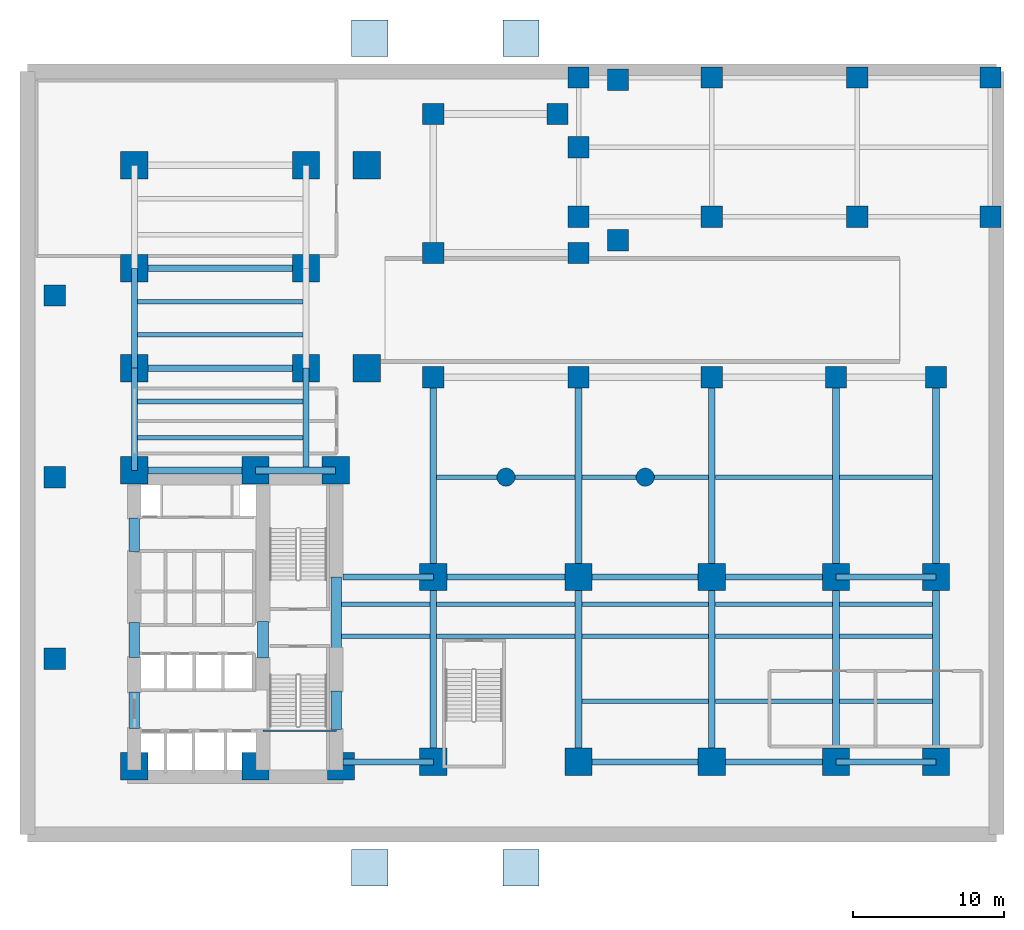
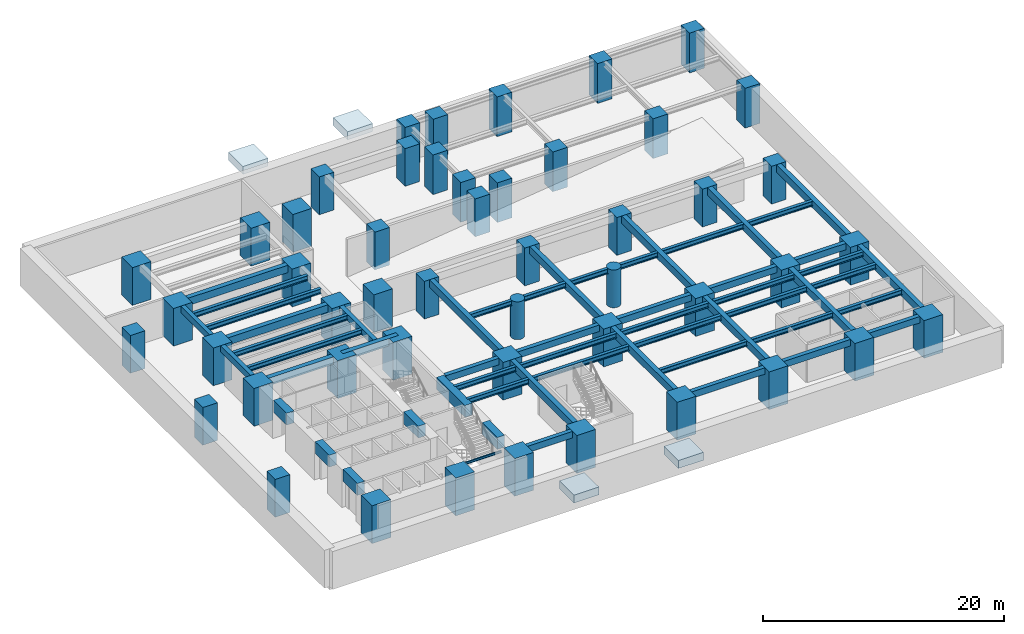
# One storey, part 1 of 5: 54 beams, 49 columns, 4 footings.
"""IFC4 building model written with IfcOpenShell, lengths in metres."""

from ifc_helpers import new_model, si_unit, direction, frame, origin, origin_2d, place, context, subcontext, project, spatial, polyline, rectangle, circle, i_section, outline, extrude, material, layer, layer_set, material_profile, profile_set, type_object, element, save


model = new_model("IFC4")

# Units and contexts
model_context = context("Model", 3, precision=1e-05, world=origin(), true_north=direction((0.0, 1.0)))
body_context = subcontext(model_context, "Body", "Model", "MODEL_VIEW")
ifc_project = project(units=[si_unit("LENGTHUNIT", "METRE"), si_unit("AREAUNIT", "SQUARE_METRE"), si_unit("VOLUMEUNIT", "CUBIC_METRE"), si_unit("PLANEANGLEUNIT", "RADIAN"), si_unit("MASSUNIT", "GRAM", prefix="KILO")], contexts=[model_context])

# Site, building, storey
site_placement = place(None, origin())
site = spatial("IfcSite", under=ifc_project, at=site_placement, CompositionType="ELEMENT")
building_placement = place(site_placement, origin())
building = spatial("IfcBuilding", under=site, at=building_placement, Name="Kolvaren Waterfront Exchange", CompositionType="ELEMENT")
storey_placement = place(building_placement, frame((0.0, 0.0, -4.199951171875)))
storey = spatial("IfcBuildingStorey", under=building, at=storey_placement, Name="B01", CompositionType="ELEMENT", Elevation=-4.199951171875)

# Footings
ifc_material_1 = material(Name="Concrete C40/50", Category="concrete")
ifc_layer = layer(ifc_material_1, 0.800048828125, Name="Concrete C40/50")
ifc_layer_set = layer_set([ifc_layer], Name="Concrete C40/50")
footing_type = type_object("IfcFootingType", Name="STR-PAD-2400", PredefinedType="PAD_FOOTING", material=ifc_layer_set)
footing_1_placement = place(storey_placement, frame((0.0, 0.0, 3.0)))
element("IfcFooting", 1, at=footing_1_placement, inside=storey, type_object=footing_type, Name="L01 south portico pad footing 1", PredefinedType="PAD_FOOTING", context=body_context, shape_type="SweptSolid", body=[
    extrude(outline(polyline([(21.800048828125, -3.0), (24.199951171875, -3.0), (24.199951171875, -0.60009765625), (21.800048828125, -0.60009765625), (21.800048828125, -3.0)])), origin(), (0.0, 0.0, 1.0), 0.800048828125),
])
footing_2_placement = place(storey_placement, frame((0.0, 0.0, 3.0)))
element("IfcFooting", 2, at=footing_2_placement, inside=storey, type_object=footing_type, Name="L01 south portico pad footing 2", PredefinedType="PAD_FOOTING", context=body_context, shape_type="SweptSolid", body=[
    extrude(outline(polyline([(31.800048828125, -3.0), (34.199951171875, -3.0), (34.199951171875, -0.60009765625), (31.800048828125, -0.60009765625), (31.800048828125, -3.0)])), origin(), (0.0, 0.0, 1.0), 0.800048828125),
])
footing_3_placement = place(storey_placement, frame((0.0, 0.0, 3.0)))
element("IfcFooting", 3, at=footing_3_placement, inside=storey, type_object=footing_type, Name="L01 north portico pad footing 1", PredefinedType="PAD_FOOTING", context=body_context, shape_type="SweptSolid", body=[
    extrude(outline(polyline([(21.800048828125, 51.800048828125), (24.199951171875, 51.800048828125), (24.199951171875, 54.199951171875), (21.800048828125, 54.199951171875), (21.800048828125, 51.800048828125)])), origin(), (0.0, 0.0, 1.0), 0.800048828125),
])
footing_4_placement = place(storey_placement, frame((0.0, 0.0, 3.0)))
element("IfcFooting", 4, at=footing_4_placement, inside=storey, type_object=footing_type, Name="L01 north portico pad footing 2", PredefinedType="PAD_FOOTING", context=body_context, shape_type="SweptSolid", body=[
    extrude(outline(polyline([(31.800048828125, 51.800048828125), (34.199951171875, 51.800048828125), (34.199951171875, 54.199951171875), (31.800048828125, 54.199951171875), (31.800048828125, 51.800048828125)])), origin(), (0.0, 0.0, 1.0), 0.800048828125),
])

# Columns
ifc_material_2 = material(Name="Concrete C70/85", Category="concrete")
ifc_material_profile_1 = material_profile(ifc_material_2, rectangle(XDim=1.39990234375, YDim=1.39990234375, at=origin_2d()), Name="RC-COL-1400x1400")
ifc_profile_set_1 = profile_set([ifc_material_profile_1], Name="Concrete C70/85")
column_type_1 = type_object("IfcColumnType", Name="STR-COL-1400-C70", PredefinedType="COLUMN", material=ifc_profile_set_1)
for number, where, z_axis, x_axis, name in (
    (5, (39.39990234375, 39.64990234375, 0.0), (0.0, 0.0, 1.0), (1.0, 0.0, 0.0), "B01 waterfront canopy foundation column 1"),
    (6, (39.39990234375, 50.25, 0.0), (0.0, 0.0, 1.0), (1.0, 0.0, 0.0), "B01 waterfront canopy foundation column 2"),
):
    element("IfcColumn", number, at=place(storey_placement, frame(where, z_axis=z_axis, x_axis=x_axis)), inside=storey, type_object=column_type_1, Name=name, PredefinedType="COLUMN", context=body_context, shape_type="SweptSolid", body=[
        extrude(rectangle(XDim=1.39990234375, YDim=1.39990234375, at=origin_2d()), origin(), (0.0, 0.0, 1.0), 4.02001953125),
    ])
for number, where, z_axis, x_axis, name in (
    (7, (27.199951171875, 30.60009765625, 0.0), (0.0, 0.0, 1.0), (1.0, 0.0, 0.0), "B01 column PC01"),
    (8, (36.800048828125, 30.60009765625, 0.0), (0.0, 0.0, 1.0), (1.0, 0.0, 0.0), "B01 column PC02"),
    (9, (45.60009765625, 30.60009765625, 0.0), (0.0, 0.0, 1.0), (1.0, 0.0, 0.0), "B01 column PC03"),
    (10, (53.800048828125, 30.60009765625, 0.0), (0.0, 0.0, 1.0), (1.0, 0.0, 0.0), "B01 column PC04"),
    (11, (60.39990234375, 30.60009765625, 0.0), (0.0, 0.0, 1.0), (1.0, 0.0, 0.0), "B01 column PC05"),
    (12, (27.199951171875, 38.800048828125, 0.0), (0.0, 0.0, 1.0), (1.0, 0.0, 0.0), "B01 column PC06"),
    (13, (36.800048828125, 38.800048828125, 0.0), (0.0, 0.0, 1.0), (1.0, 0.0, 0.0), "B01 column PC07"),
    (14, (27.199951171875, 48.0, 0.0), (0.0, 0.0, 1.0), (1.0, 0.0, 0.0), "B01 column PC08"),
    (15, (35.39990234375, 48.0, 0.0), (0.0, 0.0, 1.0), (1.0, 0.0, 0.0), "B01 column PC09"),
):
    element("IfcColumn", number, at=place(storey_placement, frame(where, z_axis=z_axis, x_axis=x_axis)), inside=storey, type_object=column_type_1, Name=name, PredefinedType="COLUMN", context=body_context, shape_type="SweptSolid", body=[
        extrude(rectangle(XDim=1.39990234375, YDim=1.39990234375, at=origin_2d()), origin(), (0.0, 0.0, 1.0), 3.820068359375),
    ])
for number, where, z_axis, x_axis, name in (
    (16, (45.60009765625, 41.199951171875, 0.0), (0.0, 0.0, 1.0), (1.0, 0.0, 0.0), "B01 column PC10"),
    (17, (55.199951171875, 41.199951171875, 0.0), (0.0, 0.0, 1.0), (1.0, 0.0, 0.0), "B01 column PC11"),
    (18, (64.0, 41.199951171875, 0.0), (0.0, 0.0, 1.0), (1.0, 0.0, 0.0), "B01 column PC12"),
    (19, (45.60009765625, 50.39990234375, 0.0), (0.0, 0.0, 1.0), (1.0, 0.0, 0.0), "B01 column PC13"),
    (20, (55.199951171875, 50.39990234375, 0.0), (0.0, 0.0, 1.0), (1.0, 0.0, 0.0), "B01 column PC14"),
    (21, (64.0, 50.39990234375, 0.0), (0.0, 0.0, 1.0), (1.0, 0.0, 0.0), "B01 column PC15"),
    (22, (36.800048828125, 50.39990234375, 0.0), (0.0, 0.0, 1.0), (1.0, 0.0, 0.0), "B01 column PC16"),
    (23, (36.800048828125, 45.800048828125, 0.0), (0.0, 0.0, 1.0), (1.0, 0.0, 0.0), "B01 column PC17"),
    (24, (36.800048828125, 41.199951171875, 0.0), (0.0, 0.0, 1.0), (1.0, 0.0, 0.0), "B01 column PC18"),
):
    element("IfcColumn", number, at=place(storey_placement, frame(where, z_axis=z_axis, x_axis=x_axis)), inside=storey, type_object=column_type_1, Name=name, PredefinedType="COLUMN", context=body_context, shape_type="SweptSolid", body=[
        extrude(rectangle(XDim=1.39990234375, YDim=1.39990234375, at=origin_2d()), origin(), (0.0, 0.0, 1.0), 4.02001953125),
    ])
for number, where, z_axis, x_axis, name in (
    (25, (2.199951171875, 12.0, 0.0), (0.0, 0.0, 1.0), (1.0, 0.0, 0.0), "B01 column PL01B"),
    (26, (2.199951171875, 24.0, 0.0), (0.0, 0.0, 1.0), (1.0, 0.0, 0.0), "B01 column PL02B"),
    (27, (2.199951171875, 36.0, 0.0), (0.0, 0.0, 1.0), (1.0, 0.0, 0.0), "B01 column PL03B"),
):
    element("IfcColumn", number, at=place(storey_placement, frame(where, z_axis=z_axis, x_axis=x_axis)), inside=storey, type_object=column_type_1, Name=name, PredefinedType="COLUMN", context=body_context, shape_type="SweptSolid", body=[
        extrude(rectangle(XDim=1.39990234375, YDim=1.39990234375, at=origin_2d()), origin(), (0.0, 0.0, 1.0), 3.820068359375),
    ])
ifc_material_profile_2 = material_profile(ifc_material_2, rectangle(XDim=1.800048828125, YDim=1.800048828125, at=origin_2d()), Name="RC-COL-1800x1800")
ifc_profile_set_2 = profile_set([ifc_material_profile_2], Name="Concrete C70/85")
column_type_2 = type_object("IfcColumnType", Name="STR-COL-1800-C70", PredefinedType="COLUMN", material=ifc_profile_set_2)
for number, where, z_axis, x_axis, name in (
    (28, (7.449951171875, 4.89990234375, 0.0), (0.0, 0.0, 1.0), (1.0, 0.0, 0.0), "B01 column MC01"),
    (29, (15.449951171875, 4.89990234375, 0.0), (0.0, 0.0, 1.0), (1.0, 0.0, 0.0), "B01 column MC02"),
    (30, (21.10009765625, 4.89990234375, 0.0), (0.0, 0.0, 1.0), (1.0, 0.0, 0.0), "B01 column MC03"),
    (31, (7.449951171875, 24.449951171875, 0.0), (0.0, 0.0, 1.0), (1.0, 0.0, 0.0), "B01 column MC04"),
    (32, (15.449951171875, 24.449951171875, 0.0), (0.0, 0.0, 1.0), (1.0, 0.0, 0.0), "B01 column MC05"),
    (33, (20.75, 24.449951171875, 0.0), (0.0, 0.0, 1.0), (1.0, 0.0, 0.0), "B01 column MC06"),
    (34, (7.449951171875, 31.199951171875, 0.0), (0.0, 0.0, 1.0), (1.0, 0.0, 0.0), "B01 column NC01"),
    (35, (7.449951171875, 37.800048828125, 0.0), (0.0, 0.0, 1.0), (1.0, 0.0, 0.0), "B01 column NC02"),
    (36, (7.449951171875, 44.60009765625, 0.0), (0.0, 0.0, 1.0), (1.0, 0.0, 0.0), "B01 column NC03"),
    (37, (18.800048828125, 31.199951171875, 0.0), (0.0, 0.0, 1.0), (1.0, 0.0, 0.0), "B01 column NC04"),
    (38, (18.800048828125, 37.800048828125, 0.0), (0.0, 0.0, 1.0), (1.0, 0.0, 0.0), "B01 column NC05"),
    (39, (18.800048828125, 44.60009765625, 0.0), (0.0, 0.0, 1.0), (1.0, 0.0, 0.0), "B01 column NC06"),
    (40, (27.199951171875, 5.199951171875, 0.0), (0.0, 0.0, 1.0), (1.0, 0.0, 0.0), "B01 column EC01"),
    (41, (36.800048828125, 5.199951171875, 0.0), (0.0, 0.0, 1.0), (1.0, 0.0, 0.0), "B01 column EC02"),
    (42, (45.60009765625, 5.199951171875, 0.0), (0.0, 0.0, 1.0), (1.0, 0.0, 0.0), "B01 column EC03"),
    (43, (27.199951171875, 17.39990234375, 0.0), (0.0, 0.0, 1.0), (1.0, 0.0, 0.0), "B01 column EC04"),
    (44, (36.800048828125, 17.39990234375, 0.0), (0.0, 0.0, 1.0), (1.0, 0.0, 0.0), "B01 column EC05"),
    (45, (45.60009765625, 17.39990234375, 0.0), (0.0, 0.0, 1.0), (1.0, 0.0, 0.0), "B01 column EC06"),
    (46, (53.800048828125, 5.199951171875, 0.0), (0.0, 0.0, 1.0), (1.0, 0.0, 0.0), "B01 column ZC01"),
    (47, (53.800048828125, 17.39990234375, 0.0), (0.0, 0.0, 1.0), (1.0, 0.0, 0.0), "B01 column ZC02"),
    (48, (60.39990234375, 5.199951171875, 0.0), (0.0, 0.0, 1.0), (1.0, 0.0, 0.0), "B01 column ZC03"),
    (49, (60.39990234375, 17.39990234375, 0.0), (0.0, 0.0, 1.0), (1.0, 0.0, 0.0), "B01 column ZC04"),
    (50, (22.800048828125, 31.199951171875, 0.0), (0.0, 0.0, 1.0), (1.0, 0.0, 0.0), "B01 column ZC05"),
    (51, (22.800048828125, 44.60009765625, 0.0), (0.0, 0.0, 1.0), (1.0, 0.0, 0.0), "B01 column ZC06"),
):
    element("IfcColumn", number, at=place(storey_placement, frame(where, z_axis=z_axis, x_axis=x_axis)), inside=storey, type_object=column_type_2, Name=name, PredefinedType="COLUMN", context=body_context, shape_type="SweptSolid", body=[
        extrude(rectangle(XDim=1.800048828125, YDim=1.800048828125, at=origin_2d()), origin(), (0.0, 0.0, 1.0), 3.820068359375),
    ])
ifc_material_profile_3 = material_profile(ifc_material_2, circle(Radius=0.60009765625, at=origin_2d()), Name="RC-COL-D1200")
ifc_profile_set_3 = profile_set([ifc_material_profile_3], Name="Concrete C70/85")
column_type_3 = type_object("IfcColumnType", Name="STR-COL-D1200-C70", PredefinedType="COLUMN", material=ifc_profile_set_3)
for number, where, z_axis, x_axis, name in (
    (52, (32.0, 24.0, 0.0), (0.0, 0.0, 1.0), (1.0, 0.0, 0.0), "B01 column LC01"),
    (53, (41.199951171875, 24.0, 0.0), (0.0, 0.0, 1.0), (1.0, 0.0, 0.0), "B01 column LC02"),
):
    element("IfcColumn", number, at=place(storey_placement, frame(where, z_axis=z_axis, x_axis=x_axis)), inside=storey, type_object=column_type_3, Name=name, PredefinedType="COLUMN", context=body_context, shape_type="SweptSolid", body=[
        extrude(circle(Radius=0.60009765625, at=origin_2d()), origin(), (0.0, 0.0, 1.0), 3.820068359375),
    ])

# Beams
ifc_material_3 = material(Name="Steel S355", Category="steel")
ifc_material_profile_4 = material_profile(ifc_material_3, i_section(OverallWidth=0.300048828125, OverallDepth=0.5, WebThickness=0.014404296875, FlangeThickness=0.028076171875, FilletRadius=0.027099609375, at=origin_2d()), Name="HEB500")
ifc_profile_set_4 = profile_set([ifc_material_profile_4], Name="Steel S355")
beam_type_1 = type_object("IfcBeamType", Name="STR-BM-HEB500", PredefinedType="BEAM", material=ifc_profile_set_4)
for number, where, z_axis, x_axis, name in (
    (54, (7.652099609375, 26.60009765625, 3.570068359375), (1.0, 0.0, 0.0), (0.0, 1.0, 0.0), "B01 north-arm composite joist 1"),
    (55, (7.652099609375, 29.0, 3.570068359375), (1.0, 0.0, 0.0), (0.0, 1.0, 0.0), "B01 north-arm composite joist 2"),
    (56, (7.652099609375, 33.39990234375, 3.570068359375), (1.0, 0.0, 0.0), (0.0, 1.0, 0.0), "B01 north-arm composite joist 3"),
    (57, (7.652099609375, 35.60009765625, 3.570068359375), (1.0, 0.0, 0.0), (0.0, 1.0, 0.0), "B01 north-arm composite joist 4"),
):
    element("IfcBeam", number, at=place(storey_placement, frame(where, z_axis=z_axis, x_axis=x_axis)), inside=storey, type_object=beam_type_1, Name=name, PredefinedType="JOIST", context=body_context, shape_type="SweptSolid", body=[
        extrude(i_section(OverallWidth=0.300048828125, OverallDepth=0.5, WebThickness=0.014404296875, FlangeThickness=0.028076171875, FilletRadius=0.027099609375, at=origin_2d()), origin(), (0.0, 0.0, 1.0), 10.94580078125),
    ])
for number, where, z_axis, x_axis, name in (
    (58, (21.10009765625, 13.5, 3.570068359375), (1.0, 0.0, 0.0), (0.0, 1.0, 0.0), "B01 east-arm composite joist 1A"),
    (59, (21.10009765625, 15.60009765625, 3.570068359375), (1.0, 0.0, 0.0), (0.0, 1.0, 0.0), "B01 east-arm composite joist 1C"),
):
    element("IfcBeam", number, at=place(storey_placement, frame(where, z_axis=z_axis, x_axis=x_axis)), inside=storey, type_object=beam_type_1, Name=name, PredefinedType="JOIST", context=body_context, shape_type="SweptSolid", body=[
        extrude(i_section(OverallWidth=0.300048828125, OverallDepth=0.5, WebThickness=0.014404296875, FlangeThickness=0.028076171875, FilletRadius=0.027099609375, at=origin_2d()), origin(), (0.0, 0.0, 1.0), 5.872802734375),
    ])
for number, where, z_axis, x_axis, name in (
    (60, (27.427001953125, 13.5, 3.570068359375), (1.0, 0.0, 0.0), (0.0, 1.0, 0.0), "B01 east-arm composite joist 2A"),
    (61, (27.427001953125, 15.60009765625, 3.570068359375), (1.0, 0.0, 0.0), (0.0, 1.0, 0.0), "B01 east-arm composite joist 2C"),
):
    element("IfcBeam", number, at=place(storey_placement, frame(where, z_axis=z_axis, x_axis=x_axis)), inside=storey, type_object=beam_type_1, Name=name, PredefinedType="JOIST", context=body_context, shape_type="SweptSolid", body=[
        extrude(i_section(OverallWidth=0.300048828125, OverallDepth=0.5, WebThickness=0.014404296875, FlangeThickness=0.028076171875, FilletRadius=0.027099609375, at=origin_2d()), origin(), (0.0, 0.0, 1.0), 9.14599609375),
    ])
for number, where, z_axis, x_axis, name in (
    (62, (37.027099609375, 13.5, 3.570068359375), (1.0, 0.0, 0.0), (0.0, 1.0, 0.0), "B01 east-arm composite joist 3A"),
    (63, (37.027099609375, 15.60009765625, 3.570068359375), (1.0, 0.0, 0.0), (0.0, 1.0, 0.0), "B01 east-arm composite joist 3C"),
    (64, (37.027099609375, 9.199951171875, 3.570068359375), (1.0, 0.0, 0.0), (0.0, 1.0, 0.0), "B01 east-arm composite joist 3B"),
):
    element("IfcBeam", number, at=place(storey_placement, frame(where, z_axis=z_axis, x_axis=x_axis)), inside=storey, type_object=beam_type_1, Name=name, PredefinedType="JOIST", context=body_context, shape_type="SweptSolid", body=[
        extrude(i_section(OverallWidth=0.300048828125, OverallDepth=0.5, WebThickness=0.014404296875, FlangeThickness=0.028076171875, FilletRadius=0.027099609375, at=origin_2d()), origin(), (0.0, 0.0, 1.0), 8.345947265625),
    ])
for number, where, z_axis, x_axis, name in (
    (65, (45.826904296875, 13.5, 3.570068359375), (1.0, 0.0, 0.0), (0.0, 1.0, 0.0), "B01 east-arm composite joist 4A"),
    (66, (45.826904296875, 15.60009765625, 3.570068359375), (1.0, 0.0, 0.0), (0.0, 1.0, 0.0), "B01 east-arm composite joist 4C"),
    (67, (45.826904296875, 9.199951171875, 3.570068359375), (1.0, 0.0, 0.0), (0.0, 1.0, 0.0), "B01 east-arm composite joist 4B"),
):
    element("IfcBeam", number, at=place(storey_placement, frame(where, z_axis=z_axis, x_axis=x_axis)), inside=storey, type_object=beam_type_1, Name=name, PredefinedType="JOIST", context=body_context, shape_type="SweptSolid", body=[
        extrude(i_section(OverallWidth=0.300048828125, OverallDepth=0.5, WebThickness=0.014404296875, FlangeThickness=0.028076171875, FilletRadius=0.027099609375, at=origin_2d()), origin(), (0.0, 0.0, 1.0), 7.74609375),
    ])
for number, where, z_axis, x_axis, name in (
    (68, (54.027099609375, 13.5, 3.570068359375), (1.0, 0.0, 0.0), (0.0, 1.0, 0.0), "B01 east-arm composite joist 5A"),
    (69, (54.027099609375, 15.60009765625, 3.570068359375), (1.0, 0.0, 0.0), (0.0, 1.0, 0.0), "B01 east-arm composite joist 5C"),
    (70, (54.027099609375, 9.199951171875, 3.570068359375), (1.0, 0.0, 0.0), (0.0, 1.0, 0.0), "B01 east-arm composite joist 5B"),
):
    element("IfcBeam", number, at=place(storey_placement, frame(where, z_axis=z_axis, x_axis=x_axis)), inside=storey, type_object=beam_type_1, Name=name, PredefinedType="JOIST", context=body_context, shape_type="SweptSolid", body=[
        extrude(i_section(OverallWidth=0.300048828125, OverallDepth=0.5, WebThickness=0.014404296875, FlangeThickness=0.028076171875, FilletRadius=0.027099609375, at=origin_2d()), origin(), (0.0, 0.0, 1.0), 6.14599609375),
    ])
beam_1_placement = place(storey_placement, frame((27.427001953125, 24.0, 3.570068359375), z_axis=(1.0, 0.0, 0.0), x_axis=(0.0, 1.0, 0.0)))
element("IfcBeam", 71, at=beam_1_placement, inside=storey, type_object=beam_type_1, Name="B01 podium trading joist 1", PredefinedType="JOIST", context=body_context, shape_type="SweptSolid", body=[
    extrude(i_section(OverallWidth=0.300048828125, OverallDepth=0.5, WebThickness=0.014404296875, FlangeThickness=0.028076171875, FilletRadius=0.027099609375, at=origin_2d()), origin(), (0.0, 0.0, 1.0), 9.14599609375),
])
beam_2_placement = place(storey_placement, frame((37.027099609375, 24.0, 3.570068359375), z_axis=(1.0, 0.0, 0.0), x_axis=(0.0, 1.0, 0.0)))
element("IfcBeam", 72, at=beam_2_placement, inside=storey, type_object=beam_type_1, Name="B01 podium trading joist 2", PredefinedType="JOIST", context=body_context, shape_type="SweptSolid", body=[
    extrude(i_section(OverallWidth=0.300048828125, OverallDepth=0.5, WebThickness=0.014404296875, FlangeThickness=0.028076171875, FilletRadius=0.027099609375, at=origin_2d()), origin(), (0.0, 0.0, 1.0), 8.345947265625),
])
beam_3_placement = place(storey_placement, frame((45.826904296875, 24.0, 3.570068359375), z_axis=(1.0, 0.0, 0.0), x_axis=(0.0, 1.0, 0.0)))
element("IfcBeam", 73, at=beam_3_placement, inside=storey, type_object=beam_type_1, Name="B01 podium trading joist 3", PredefinedType="JOIST", context=body_context, shape_type="SweptSolid", body=[
    extrude(i_section(OverallWidth=0.300048828125, OverallDepth=0.5, WebThickness=0.014404296875, FlangeThickness=0.028076171875, FilletRadius=0.027099609375, at=origin_2d()), origin(), (0.0, 0.0, 1.0), 7.74609375),
])
beam_4_placement = place(storey_placement, frame((54.027099609375, 24.0, 3.570068359375), z_axis=(1.0, 0.0, 0.0), x_axis=(0.0, 1.0, 0.0)))
element("IfcBeam", 74, at=beam_4_placement, inside=storey, type_object=beam_type_1, Name="B01 podium trading joist 4", PredefinedType="JOIST", context=body_context, shape_type="SweptSolid", body=[
    extrude(i_section(OverallWidth=0.300048828125, OverallDepth=0.5, WebThickness=0.014404296875, FlangeThickness=0.028076171875, FilletRadius=0.027099609375, at=origin_2d()), origin(), (0.0, 0.0, 1.0), 6.14599609375),
])
ifc_material_profile_5 = material_profile(ifc_material_3, i_section(OverallWidth=0.1201171875, OverallDepth=0.239990234375, WebThickness=0.006103515625, FlangeThickness=0.009765625, FilletRadius=0.014892578125, at=origin_2d()), Name="IPE240")
ifc_profile_set_5 = profile_set([ifc_material_profile_5], Name="Steel S355")
beam_type_2 = type_object("IfcBeamType", Name="STR-BM-IPE240", PredefinedType="LINTEL", material=ifc_profile_set_5)
beam_5_placement = place(storey_placement, frame((15.949951171875, 7.25, 2.3798828125), z_axis=(1.0, 0.0, 0.0), x_axis=(0.0, 1.0, 0.0)))
element("IfcBeam", 75, at=beam_5_placement, inside=storey, type_object=beam_type_2, Name="B01 core throat header lintel", PredefinedType="LINTEL", context=body_context, shape_type="SweptSolid", body=[
    extrude(i_section(OverallWidth=0.1201171875, OverallDepth=0.239990234375, WebThickness=0.006103515625, FlangeThickness=0.009765625, FilletRadius=0.014892578125, at=origin_2d()), origin(), (0.0, 0.0, 1.0), 4.85009765625),
])
ifc_material_profile_6 = material_profile(ifc_material_2, rectangle(XDim=0.699951171875, YDim=1.199951171875, at=origin_2d()), Name="RC-CB-1200x700")
ifc_profile_set_6 = profile_set([ifc_material_profile_6], Name="Concrete C70/85")
beam_type_3 = type_object("IfcBeamType", Name="STR-CB-1200", PredefinedType="SPANDREL", material=ifc_profile_set_6)
beam_6_placement = place(storey_placement, frame((20.800048828125, 7.340087890625, 3.219970703125), z_axis=(0.0, 1.0, 0.0), x_axis=(-1.0, 0.0, 0.0)))
element("IfcBeam", 76, at=beam_6_placement, inside=storey, type_object=beam_type_3, Name="B01 core coupling beam 1", PredefinedType="SPANDREL", context=body_context, shape_type="SweptSolid", body=[
    extrude(rectangle(XDim=0.699951171875, YDim=1.199951171875, at=origin_2d()), origin(), (0.0, 0.0, 1.0), 2.52001953125),
])
beam_7_placement = place(storey_placement, frame((20.800048828125, 12.68994140625, 3.219970703125), z_axis=(0.0, 1.0, 0.0), x_axis=(-1.0, 0.0, 0.0)))
element("IfcBeam", 77, at=beam_7_placement, inside=storey, type_object=beam_type_3, Name="B01 core coupling beam 2", PredefinedType="SPANDREL", context=body_context, shape_type="SweptSolid", body=[
    extrude(rectangle(XDim=0.699951171875, YDim=1.199951171875, at=origin_2d()), origin(), (0.0, 0.0, 1.0), 4.719970703125),
])
beam_8_placement = place(storey_placement, frame((7.449951171875, 7.389892578125, 3.219970703125), z_axis=(0.0, 1.0, 0.0), x_axis=(-1.0, 0.0, 0.0)))
element("IfcBeam", 78, at=beam_8_placement, inside=storey, type_object=beam_type_3, Name="B01 core coupling beam 3", PredefinedType="SPANDREL", context=body_context, shape_type="SweptSolid", body=[
    extrude(rectangle(XDim=0.699951171875, YDim=1.199951171875, at=origin_2d()), origin(), (0.0, 0.0, 1.0), 2.420166015625),
])
beam_9_placement = place(storey_placement, frame((7.449951171875, 12.090087890625, 3.219970703125), z_axis=(0.0, 1.0, 0.0), x_axis=(-1.0, 0.0, 0.0)))
element("IfcBeam", 79, at=beam_9_placement, inside=storey, type_object=beam_type_3, Name="B01 core coupling beam 4", PredefinedType="SPANDREL", context=body_context, shape_type="SweptSolid", body=[
    extrude(rectangle(XDim=0.699951171875, YDim=1.199951171875, at=origin_2d()), origin(), (0.0, 0.0, 1.0), 2.31982421875),
])
beam_10_placement = place(storey_placement, frame((7.449951171875, 19.10009765625, 3.219970703125), z_axis=(0.0, 1.0, 0.0), x_axis=(-1.0, 0.0, 0.0)))
element("IfcBeam", 80, at=beam_10_placement, inside=storey, type_object=beam_type_3, Name="B01 core coupling beam 5", PredefinedType="SPANDREL", context=body_context, shape_type="SweptSolid", body=[
    extrude(rectangle(XDim=0.699951171875, YDim=1.199951171875, at=origin_2d()), origin(), (0.0, 0.0, 1.0), 2.199951171875),
])
beam_11_placement = place(storey_placement, frame((15.949951171875, 12.0400390625, 3.219970703125), z_axis=(0.0, 1.0, 0.0), x_axis=(-1.0, 0.0, 0.0)))
element("IfcBeam", 81, at=beam_11_placement, inside=storey, type_object=beam_type_3, Name="B01 core coupling beam 6", PredefinedType="SPANDREL", context=body_context, shape_type="SweptSolid", body=[
    extrude(rectangle(XDim=0.699951171875, YDim=1.199951171875, at=origin_2d()), origin(), (0.0, 0.0, 1.0), 2.419921875),
])
ifc_material_profile_7 = material_profile(ifc_material_1, rectangle(XDim=0.39990234375, YDim=0.64990234375, at=origin_2d()), Name="RC-BM-650x400")
ifc_profile_set_7 = profile_set([ifc_material_profile_7], Name="Concrete C40/50")
beam_type_4 = type_object("IfcBeamType", Name="STR-RCBM-650", PredefinedType="SPANDREL", material=ifc_profile_set_7)
beam_12_placement = place(storey_placement, frame((7.449951171875, 24.449951171875, 3.494873046875), z_axis=(0.0, 1.0, 0.0), x_axis=(-1.0, 0.0, 0.0)))
element("IfcBeam", 82, at=beam_12_placement, inside=storey, type_object=beam_type_4, Name="B01 north-arm edge beam 1", PredefinedType="SPANDREL", context=body_context, shape_type="SweptSolid", body=[
    extrude(rectangle(XDim=0.39990234375, YDim=0.64990234375, at=origin_2d()), origin(), (0.0, 0.0, 1.0), 6.75),
])
beam_13_placement = place(storey_placement, frame((7.449951171875, 31.199951171875, 3.494873046875), z_axis=(0.0, 1.0, 0.0), x_axis=(-1.0, 0.0, 0.0)))
element("IfcBeam", 83, at=beam_13_placement, inside=storey, type_object=beam_type_4, Name="B01 north-arm edge beam 2", PredefinedType="SPANDREL", context=body_context, shape_type="SweptSolid", body=[
    extrude(rectangle(XDim=0.39990234375, YDim=0.64990234375, at=origin_2d()), origin(), (0.0, 0.0, 1.0), 6.60009765625),
])
beam_14_placement = place(storey_placement, frame((18.800048828125, 24.449951171875, 3.494873046875), z_axis=(0.0, 1.0, 0.0), x_axis=(-1.0, 0.0, 0.0)))
element("IfcBeam", 84, at=beam_14_placement, inside=storey, type_object=beam_type_4, Name="B01 north-arm edge beam 1", PredefinedType="SPANDREL", context=body_context, shape_type="SweptSolid", body=[
    extrude(rectangle(XDim=0.39990234375, YDim=0.64990234375, at=origin_2d()), origin(), (0.0, 0.0, 1.0), 6.75),
])
beam_15_placement = place(storey_placement, frame((21.25, 5.199951171875, 3.494873046875), z_axis=(1.0, 0.0, 0.0), x_axis=(0.0, 1.0, 0.0)))
element("IfcBeam", 85, at=beam_15_placement, inside=storey, type_object=beam_type_4, Name="B01 east-arm spandrel S1", PredefinedType="SPANDREL", context=body_context, shape_type="SweptSolid", body=[
    extrude(rectangle(XDim=0.39990234375, YDim=0.64990234375, at=origin_2d()), origin(), (0.0, 0.0, 1.0), 5.949951171875),
])
beam_16_placement = place(storey_placement, frame((36.800048828125, 5.199951171875, 3.494873046875), z_axis=(1.0, 0.0, 0.0), x_axis=(0.0, 1.0, 0.0)))
element("IfcBeam", 86, at=beam_16_placement, inside=storey, type_object=beam_type_4, Name="B01 east-arm spandrel S3", PredefinedType="SPANDREL", context=body_context, shape_type="SweptSolid", body=[
    extrude(rectangle(XDim=0.39990234375, YDim=0.64990234375, at=origin_2d()), origin(), (0.0, 0.0, 1.0), 8.800048828125),
])
beam_17_placement = place(storey_placement, frame((45.60009765625, 5.199951171875, 3.494873046875), z_axis=(1.0, 0.0, 0.0), x_axis=(0.0, 1.0, 0.0)))
element("IfcBeam", 87, at=beam_17_placement, inside=storey, type_object=beam_type_4, Name="B01 east-arm spandrel S4", PredefinedType="SPANDREL", context=body_context, shape_type="SweptSolid", body=[
    extrude(rectangle(XDim=0.39990234375, YDim=0.64990234375, at=origin_2d()), origin(), (0.0, 0.0, 1.0), 8.199951171875),
])
beam_18_placement = place(storey_placement, frame((53.800048828125, 5.199951171875, 3.494873046875), z_axis=(1.0, 0.0, 0.0), x_axis=(0.0, 1.0, 0.0)))
element("IfcBeam", 88, at=beam_18_placement, inside=storey, type_object=beam_type_4, Name="B01 east-arm spandrel S5", PredefinedType="SPANDREL", context=body_context, shape_type="SweptSolid", body=[
    extrude(rectangle(XDim=0.39990234375, YDim=0.64990234375, at=origin_2d()), origin(), (0.0, 0.0, 1.0), 6.599853515625),
])
beam_19_placement = place(storey_placement, frame((21.25, 17.39990234375, 3.494873046875), z_axis=(1.0, 0.0, 0.0), x_axis=(0.0, 1.0, 0.0)))
element("IfcBeam", 89, at=beam_19_placement, inside=storey, type_object=beam_type_4, Name="B01 east-arm spandrel N1", PredefinedType="SPANDREL", context=body_context, shape_type="SweptSolid", body=[
    extrude(rectangle(XDim=0.39990234375, YDim=0.64990234375, at=origin_2d()), origin(), (0.0, 0.0, 1.0), 5.949951171875),
])
beam_20_placement = place(storey_placement, frame((27.199951171875, 17.39990234375, 3.494873046875), z_axis=(1.0, 0.0, 0.0), x_axis=(0.0, 1.0, 0.0)))
element("IfcBeam", 90, at=beam_20_placement, inside=storey, type_object=beam_type_4, Name="B01 east-arm spandrel N2", PredefinedType="SPANDREL", context=body_context, shape_type="SweptSolid", body=[
    extrude(rectangle(XDim=0.39990234375, YDim=0.64990234375, at=origin_2d()), origin(), (0.0, 0.0, 1.0), 9.60009765625),
])
beam_21_placement = place(storey_placement, frame((36.800048828125, 17.39990234375, 3.494873046875), z_axis=(1.0, 0.0, 0.0), x_axis=(0.0, 1.0, 0.0)))
element("IfcBeam", 91, at=beam_21_placement, inside=storey, type_object=beam_type_4, Name="B01 east-arm spandrel N3", PredefinedType="SPANDREL", context=body_context, shape_type="SweptSolid", body=[
    extrude(rectangle(XDim=0.39990234375, YDim=0.64990234375, at=origin_2d()), origin(), (0.0, 0.0, 1.0), 8.800048828125),
])
beam_22_placement = place(storey_placement, frame((45.60009765625, 17.39990234375, 3.494873046875), z_axis=(1.0, 0.0, 0.0), x_axis=(0.0, 1.0, 0.0)))
element("IfcBeam", 92, at=beam_22_placement, inside=storey, type_object=beam_type_4, Name="B01 east-arm spandrel N4", PredefinedType="SPANDREL", context=body_context, shape_type="SweptSolid", body=[
    extrude(rectangle(XDim=0.39990234375, YDim=0.64990234375, at=origin_2d()), origin(), (0.0, 0.0, 1.0), 8.199951171875),
])
beam_23_placement = place(storey_placement, frame((53.800048828125, 17.39990234375, 3.494873046875), z_axis=(1.0, 0.0, 0.0), x_axis=(0.0, 1.0, 0.0)))
element("IfcBeam", 93, at=beam_23_placement, inside=storey, type_object=beam_type_4, Name="B01 east-arm spandrel N5", PredefinedType="SPANDREL", context=body_context, shape_type="SweptSolid", body=[
    extrude(rectangle(XDim=0.39990234375, YDim=0.64990234375, at=origin_2d()), origin(), (0.0, 0.0, 1.0), 6.599853515625),
])
ifc_material_profile_8 = material_profile(ifc_material_1, rectangle(XDim=0.449951171875, YDim=0.75, at=origin_2d()), Name="RC-BM-750x450")
ifc_profile_set_8 = profile_set([ifc_material_profile_8], Name="Concrete C40/50")
beam_type_5 = type_object("IfcBeamType", Name="STR-RCBM-750", PredefinedType="BEAM", material=ifc_profile_set_8)
beam_24_placement = place(storey_placement, frame((7.449951171875, 24.449951171875, 3.445068359375), z_axis=(1.0, 0.0, 0.0), x_axis=(0.0, 1.0, 0.0)))
element("IfcBeam", 94, at=beam_24_placement, inside=storey, type_object=beam_type_5, Name="B01 north-arm girder 1A", PredefinedType="BEAM", context=body_context, shape_type="SweptSolid", body=[
    extrude(rectangle(XDim=0.449951171875, YDim=0.75, at=origin_2d()), origin(), (0.0, 0.0, 1.0), 8.0),
])
beam_25_placement = place(storey_placement, frame((15.449951171875, 24.449951171875, 3.445068359375), z_axis=(1.0, 0.0, 0.0), x_axis=(0.0, 1.0, 0.0)))
element("IfcBeam", 95, at=beam_25_placement, inside=storey, type_object=beam_type_5, Name="B01 north-arm girder 1B", PredefinedType="BEAM", context=body_context, shape_type="SweptSolid", body=[
    extrude(rectangle(XDim=0.449951171875, YDim=0.75, at=origin_2d()), origin(), (0.0, 0.0, 1.0), 5.300048828125),
])
for number, where, z_axis, x_axis, name in (
    (96, (7.449951171875, 31.199951171875, 3.445068359375), (1.0, 0.0, 0.0), (0.0, 1.0, 0.0), "B01 north-arm girder 2"),
    (97, (7.449951171875, 37.800048828125, 3.445068359375), (1.0, 0.0, 0.0), (0.0, 1.0, 0.0), "B01 north-arm girder 3"),
):
    element("IfcBeam", number, at=place(storey_placement, frame(where, z_axis=z_axis, x_axis=x_axis)), inside=storey, type_object=beam_type_5, Name=name, PredefinedType="BEAM", context=body_context, shape_type="SweptSolid", body=[
        extrude(rectangle(XDim=0.449951171875, YDim=0.75, at=origin_2d()), origin(), (0.0, 0.0, 1.0), 11.35009765625),
    ])
for number, where, z_axis, x_axis, name in (
    (98, (27.199951171875, 5.199951171875, 3.445068359375), (0.0, 1.0, 0.0), (-1.0, 0.0, 0.0), "B01 east-arm transverse girder X27"),
    (99, (36.800048828125, 5.199951171875, 3.445068359375), (0.0, 1.0, 0.0), (-1.0, 0.0, 0.0), "B01 east-arm transverse girder X36"),
    (100, (45.60009765625, 5.199951171875, 3.445068359375), (0.0, 1.0, 0.0), (-1.0, 0.0, 0.0), "B01 east-arm transverse girder X45"),
    (101, (53.800048828125, 5.199951171875, 3.445068359375), (0.0, 1.0, 0.0), (-1.0, 0.0, 0.0), "B01 east-arm transverse girder X53"),
    (102, (60.39990234375, 5.199951171875, 3.445068359375), (0.0, 1.0, 0.0), (-1.0, 0.0, 0.0), "B01 east-arm transverse girder X60"),
):
    element("IfcBeam", number, at=place(storey_placement, frame(where, z_axis=z_axis, x_axis=x_axis)), inside=storey, type_object=beam_type_5, Name=name, PredefinedType="BEAM", context=body_context, shape_type="SweptSolid", body=[
        extrude(rectangle(XDim=0.449951171875, YDim=0.75, at=origin_2d()), origin(), (0.0, 0.0, 1.0), 12.199951171875),
    ])
for number, where, z_axis, x_axis, name in (
    (103, (27.199951171875, 17.39990234375, 3.445068359375), (0.0, 1.0, 0.0), (-1.0, 0.0, 0.0), "B01 podium hall girder X27"),
    (104, (36.800048828125, 17.39990234375, 3.445068359375), (0.0, 1.0, 0.0), (-1.0, 0.0, 0.0), "B01 podium hall girder X36"),
    (105, (45.60009765625, 17.39990234375, 3.445068359375), (0.0, 1.0, 0.0), (-1.0, 0.0, 0.0), "B01 podium hall girder X45"),
    (106, (53.800048828125, 17.39990234375, 3.445068359375), (0.0, 1.0, 0.0), (-1.0, 0.0, 0.0), "B01 podium hall girder X53"),
    (107, (60.39990234375, 17.39990234375, 3.445068359375), (0.0, 1.0, 0.0), (-1.0, 0.0, 0.0), "B01 podium hall girder X60"),
):
    element("IfcBeam", number, at=place(storey_placement, frame(where, z_axis=z_axis, x_axis=x_axis)), inside=storey, type_object=beam_type_5, Name=name, PredefinedType="BEAM", context=body_context, shape_type="SweptSolid", body=[
        extrude(rectangle(XDim=0.449951171875, YDim=0.75, at=origin_2d()), origin(), (0.0, 0.0, 1.0), 13.2001953125),
    ])

save(model, "model.ifc")
